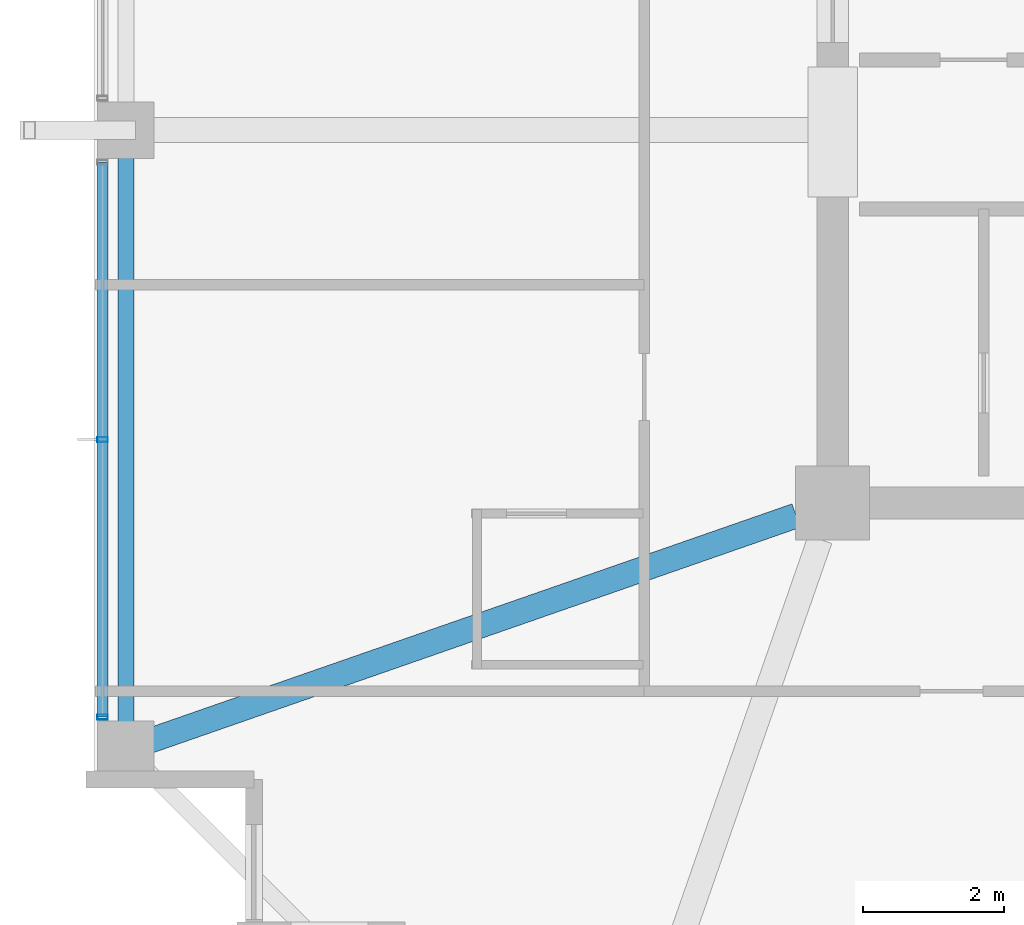
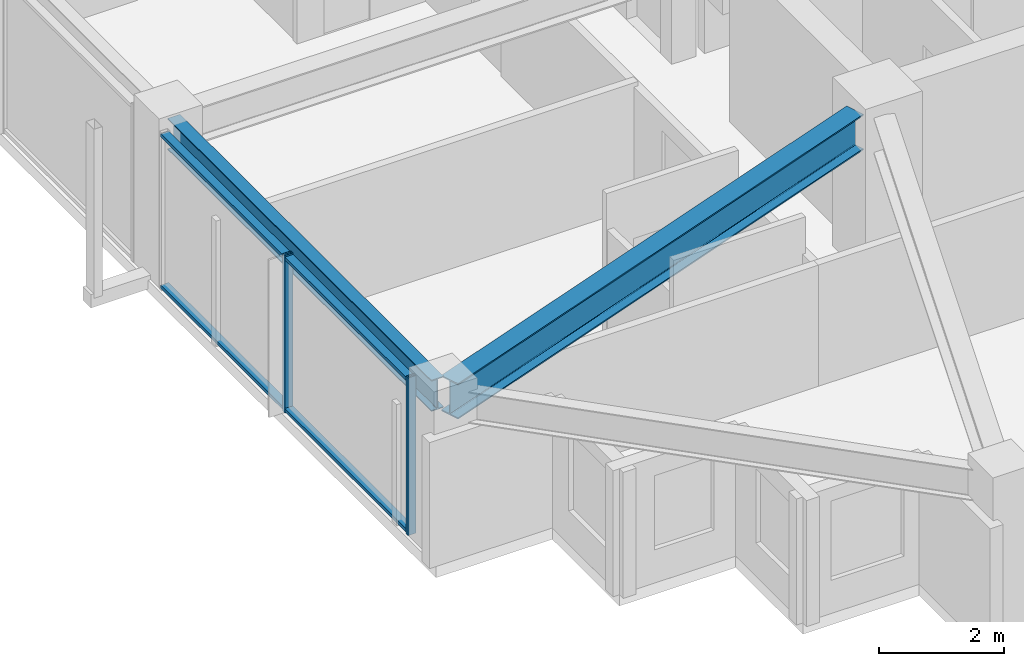
# One storey, part 3 of 38: 4 members, 2 beams, 1 element without a shape of its own.
"""IFC4 building model written with IfcOpenShell, lengths in metres."""

import ifcopenshell
import ifcopenshell.guid

model = None  # the IFC model being written
_history = None  # IfcOwnerHistory: only IFC2X3 demands one
_inside = {}  # id of a spatial element -> (the spatial element, [elements in it])
_under = {}  # id of a project, library or spatial element -> (it, [spatial elements below it])
_declared = {}  # id of a project -> (the project, [libraries it declares])
_typed = {}  # id of a type object -> (the type object, [elements of that type])
_made_of = {}  # id of a material, layer set ... -> (it, [elements and type objects made of it])


def new_model(schema):
    """Start an empty IFC model of exactly this schema.

    Asked for "IFC4X3", IfcOpenShell would pick the latest addendum, in which some entities
    have other attributes; the version numbers below select the first issue.
    IFC2X3 requires an IfcOwnerHistory on every rooted entity: one is made here for all.
    """
    global model, _history
    if schema == "IFC4X3":
        model = ifcopenshell.file(schema_version=(4, 3, 0, 0))
    else:
        model = ifcopenshell.file(schema=schema)
    _inside.clear()
    _under.clear()
    _declared.clear()
    _typed.clear()
    _made_of.clear()
    _history = None
    if model.schema == "IFC2X3":
        org = make("IfcOrganization", Name="unknown")
        user = make(
            "IfcPersonAndOrganization",
            ThePerson=make("IfcPerson", FamilyName="unknown"),
            TheOrganization=org,
        )
        app = make(
            "IfcApplication",
            ApplicationDeveloper=org,
            Version="unknown",
            ApplicationFullName="unknown",
            ApplicationIdentifier="unknown",
        )
        _history = make(
            "IfcOwnerHistory",
            OwningUser=user,
            OwningApplication=app,
            ChangeAction="ADDED",
            CreationDate=0,
        )
    return model


def make(cls, **values):
    """One entity of the class cls with the attributes given. An attribute that is None is left unset."""
    return model.create_entity(
        cls, **{name: value for name, value in values.items() if value is not None}
    )


def rooted(cls, **values):
    """An entity with a GlobalId (a new one), such as an element, a storey or a relation."""
    return make(cls, GlobalId=ifcopenshell.guid.new(), OwnerHistory=_history, **values)


def si_unit(unit_type, name, prefix=None):
    """IfcSIUnit, for example si_unit("LENGTHUNIT", "METRE", prefix="MILLI")."""
    return make("IfcSIUnit", UnitType=unit_type, Prefix=prefix, Name=name)


def assignment(units):
    """IfcUnitAssignment: the units of a project."""
    return None if units is None else make("IfcUnitAssignment", Units=units)


def point(xyz):
    """IfcCartesianPoint."""
    return None if xyz is None else make("IfcCartesianPoint", Coordinates=xyz)


def direction(xyz):
    """IfcDirection."""
    return None if xyz is None else make("IfcDirection", DirectionRatios=xyz)


def frame(location, z_axis=None, x_axis=None):
    """IfcAxis2Placement3D, a coordinate frame: its origin and axes. An axis left out is left unset."""
    return make(
        "IfcAxis2Placement3D",
        Location=point(location),
        Axis=direction(z_axis),
        RefDirection=direction(x_axis),
    )


def frame_2d(location, x_axis=None):
    """IfcAxis2Placement2D, a coordinate frame in the plane: its origin and x axis."""
    return make(
        "IfcAxis2Placement2D", Location=point(location), RefDirection=direction(x_axis)
    )


def origin():
    """The frame at (0, 0, 0) with its axes left unset."""
    return frame((0.0, 0.0, 0.0))


def origin_2d():
    """The frame at (0, 0) in the plane with its x axis left unset."""
    return frame_2d((0.0, 0.0))


def place(relative_to, where):
    """IfcLocalPlacement: puts the frame where relative to a parent placement (None: the world)."""
    return make(
        "IfcLocalPlacement", PlacementRelTo=relative_to, RelativePlacement=where
    )


def context(
    kind, dimensions, precision=None, world=None, true_north=None, identifier=None
):
    """IfcGeometricRepresentationContext, for example the 3D "Model" context."""
    return make(
        "IfcGeometricRepresentationContext",
        ContextIdentifier=identifier,
        ContextType=kind,
        CoordinateSpaceDimension=dimensions,
        Precision=precision,
        WorldCoordinateSystem=world,
        TrueNorth=true_north,
    )


def subcontext(parent, identifier, kind, view, scale=None):
    """IfcGeometricRepresentationSubContext, for example "Body" below "Model"."""
    return make(
        "IfcGeometricRepresentationSubContext",
        ContextIdentifier=identifier,
        ContextType=kind,
        ParentContext=parent,
        TargetScale=scale,
        TargetView=view,
    )


def project(units=None, contexts=None):
    """IfcProject with its units and contexts."""
    return rooted(
        "IfcProject",
        Name="project",
        RepresentationContexts=contexts,
        UnitsInContext=assignment(units),
    )


def spatial(cls, under=None, at=None, **own):
    """A site, building, storey or space (cls), placed at a placement, below another one or the project."""
    s = rooted(cls, ObjectPlacement=at, **own)
    if under is not None:
        _under.setdefault(under.id(), (under, []))[1].append(s)
    return s


def profile(cls, at=None, kind="AREA", **sizes):
    """A parametric profile (cls). Its sizes go by their IFC names, for example OverallWidth=200.0."""
    return make(cls, ProfileType=kind, Position=at, **sizes)


def hollow_rectangle(**sizes):
    """IfcRectangleHollowProfileDef."""
    return profile("IfcRectangleHollowProfileDef", **sizes)


def i_section(**sizes):
    """IfcIShapeProfileDef."""
    return profile("IfcIShapeProfileDef", **sizes)


def extrude(swept, where, along, depth):
    """IfcExtrudedAreaSolid: the profile swept, set in the frame where, extruded along a direction by depth."""
    return make(
        "IfcExtrudedAreaSolid",
        SweptArea=swept,
        Position=where,
        ExtrudedDirection=direction(along),
        Depth=depth,
    )


def shape(context_of_items, identifier, shape_type, items):
    """IfcShapeRepresentation: the items that make up one representation, for example the "Body"."""
    return make(
        "IfcShapeRepresentation",
        ContextOfItems=context_of_items,
        RepresentationIdentifier=identifier,
        RepresentationType=shape_type,
        Items=items,
    )


def material(Name=None, Category=None):
    """IfcMaterial."""
    return make("IfcMaterial", Name=Name, Category=Category)


def material_profile(
    of_material, cross_section, Name=None, Category=None, Priority=None
):
    """IfcMaterialProfile: a cross section and its material."""
    return make(
        "IfcMaterialProfile",
        Name=Name,
        Material=of_material,
        Profile=cross_section,
        Priority=Priority,
        Category=Category,
    )


def profile_set(profiles, Name=None, composite=None):
    """IfcMaterialProfileSet."""
    return make(
        "IfcMaterialProfileSet",
        Name=Name,
        MaterialProfiles=profiles,
        CompositeProfile=composite,
    )


def made_of(thing, what):
    """Note that an element or type object is made of a material, layer set ...; save() writes the relation."""
    if what is not None:
        _made_of.setdefault(what.id(), (what, []))[1].append(thing)
    return thing


def type_object(cls, material=None, **own):
    """A type object (cls), such as IfcWallType, which elements share."""
    return made_of(rooted(cls, **own), material)


def element(
    cls,
    number,
    at=None,
    inside=None,
    cuts=None,
    type_object=None,
    material=None,
    context=None,
    identifier="Body",
    shape_type=None,
    held_by="IfcProductDefinitionShape",
    body=None,
    shapes=None,
    **own,
):
    """One element of the class cls, such as IfcWall. Its Tag is "e" and its number.

    at: its placement. inside: the storey or other place that contains it. cuts: it is an
    opening in that element (IfcRelVoidsElement). A single representation is given by context,
    identifier, shape_type and body (its items); several are given by shapes. held_by: the class
    of the entity that holds the representations. save() writes the other relations.
    """
    e = rooted(cls, Tag="e%d" % number, ObjectPlacement=at, **own)
    if body is not None:
        shapes = [shape(context, identifier, shape_type, body)]
    if shapes is not None:
        e.Representation = make(held_by, Representations=shapes)
    if inside is not None:
        _inside.setdefault(inside.id(), (inside, []))[1].append(e)
    if cuts is not None:
        rooted(
            "IfcRelVoidsElement", RelatingBuildingElement=cuts, RelatedOpeningElement=e
        )
    if type_object is not None:
        _typed.setdefault(type_object.id(), (type_object, []))[1].append(e)
    return made_of(e, material)


def aggregate(whole, parts):
    """IfcRelAggregates: a whole, such as a stair, and the parts it consists of."""
    return rooted("IfcRelAggregates", RelatingObject=whole, RelatedObjects=parts)


def save(model, path):
    """Write the relations noted so far, then the file.

    IfcRelAggregates (storeys below a building ...), IfcRelContainedInSpatialStructure (elements
    in a storey), IfcRelDefinesByType, IfcRelAssociatesMaterial and IfcRelDeclares: one each for
    every whole, place, type object, material and project.
    """
    for whole, parts in _under.values():
        aggregate(whole, parts)
    for where, things in _inside.values():
        rooted(
            "IfcRelContainedInSpatialStructure",
            RelatedElements=things,
            RelatingStructure=where,
        )
    for kind, things in _typed.values():
        rooted("IfcRelDefinesByType", RelatedObjects=things, RelatingType=kind)
    for what, things in _made_of.values():
        rooted("IfcRelAssociatesMaterial", RelatedObjects=things, RelatingMaterial=what)
    for by, libraries in _declared.values():
        rooted("IfcRelDeclares", RelatingContext=by, RelatedDefinitions=libraries)
    model.write(path)


model = new_model("IFC4")

# Units and contexts
model_context = context("Model", 3, precision=1e-05, world=origin(), true_north=direction((0.0, 1.0)))
body_context = subcontext(model_context, "Body", "Model", "MODEL_VIEW")
ifc_project = project(units=[si_unit("LENGTHUNIT", "METRE"), si_unit("AREAUNIT", "SQUARE_METRE"), si_unit("VOLUMEUNIT", "CUBIC_METRE"), si_unit("PLANEANGLEUNIT", "RADIAN"), si_unit("MASSUNIT", "GRAM", prefix="KILO")], contexts=[model_context])

# Site, building, storey
site_placement = place(None, origin())
site = spatial("IfcSite", under=ifc_project, at=site_placement, CompositionType="ELEMENT")
building_placement = place(site_placement, origin())
building = spatial("IfcBuilding", under=site, at=building_placement, Name="Kolvaren Belvedere", CompositionType="ELEMENT")
storey_placement = place(building_placement, frame((0.0, 0.0, 213.0)))
storey = spatial("IfcBuildingStorey", under=building, at=storey_placement, Name="L62", CompositionType="ELEMENT", Elevation=213.0)

# Beams
ifc_material_1 = material(Name="Structural steel ASTM A992 Grade 50", Category="steel")
ifc_material_profile_1 = material_profile(ifc_material_1, i_section(OverallWidth=0.35498046875, OverallDepth=0.696044921875, WebThickness=0.015380859375, FlangeThickness=0.02490234375, FilletRadius=0.02197265625, at=origin_2d()), Name="W27X146")
ifc_profile_set_1 = profile_set([ifc_material_profile_1], Name="Structural steel ASTM A992 Grade 50")
beam_type_1 = type_object("IfcBeamType", Name="BM-GIRD-W27X146", PredefinedType="BEAM", material=ifc_profile_set_1)
beam_1_placement = place(storey_placement, frame((-10.41943359375, -10.080810546875, 2.73193359375), z_axis=(-0.944365399758, -0.328898147971, 0.0), x_axis=(0.328898147971, -0.944365399758, 0.0)))
element("IfcBeam", 1, at=beam_1_placement, inside=storey, type_object=beam_type_1, Name="L62 Corner Core-to-Perimeter Girder CC1-W1", PredefinedType="BEAM", context=body_context, shape_type="SweptSolid", body=[
    extrude(i_section(OverallWidth=0.35498046875, OverallDepth=0.696044921875, WebThickness=0.015380859375, FlangeThickness=0.02490234375, FilletRadius=0.02197265625, at=origin_2d()), origin(), (0.0, 0.0, 1.0), 9.931884765625),
])
ifc_material_2 = material(Name="Structural steel ASTM A992 Grade 50", Category="steel")
ifc_material_profile_2 = material_profile(ifc_material_2, i_section(OverallWidth=0.22900390625, OverallDepth=0.612060546875, WebThickness=0.011962890625, FlangeThickness=0.01953125, FilletRadius=0.01806640625, at=origin_2d()), Name="W24X84")
ifc_profile_set_2 = profile_set([ifc_material_profile_2], Name="Structural steel ASTM A992 Grade 50")
beam_type_2 = type_object("IfcBeamType", Name="BM-SPAN-W24X84", PredefinedType="SPANDREL", material=ifc_profile_set_2)
beam_2_placement = place(storey_placement, frame((-19.949951171875, -4.780029296875, 2.77392578125), z_axis=(0.0, -1.0, 0.0), x_axis=(1.0, 0.0, 0.0)))
element("IfcBeam", 2, at=beam_2_placement, inside=storey, type_object=beam_type_2, Name="L62 Perimeter Spandrel W2-W1", PredefinedType="SPANDREL", context=body_context, shape_type="SweptSolid", body=[
    extrude(i_section(OverallWidth=0.22900390625, OverallDepth=0.612060546875, WebThickness=0.011962890625, FlangeThickness=0.01953125, FilletRadius=0.01806640625, at=origin_2d()), origin(), (0.0, 0.0, 1.0), 8.43994140625),
])

# Curtain wall, members
ifc_material_3 = material(Name="Anodised pale-metal aluminium AA 6063-T6", Category="aluminium")
curtain_wall_type = type_object("IfcCurtainWallType", Name="CW-Z5-HIGH", PredefinedType="NOTDEFINED", material=ifc_material_3)
curtain_wall_placement = place(storey_placement, origin())
curtain_wall = element("IfcCurtainWall", 3, at=curtain_wall_placement, inside=storey, type_object=curtain_wall_type, Name="L62 Unitised Curtain Wall FCW-L62-W-B1", PredefinedType="NOTDEFINED")
ifc_material_4 = material(Name="Anodised pale-metal aluminium AA 6063-T6", Category="aluminium")
ifc_material_profile_3 = material_profile(ifc_material_4, hollow_rectangle(XDim=0.070068359375, YDim=0.14990234375, WallThickness=0.004150390625, at=origin_2d()), Name="ALU-MUL-150X70")
ifc_profile_set_3 = profile_set([ifc_material_profile_3], Name="Anodised pale-metal aluminium AA 6063-T6")
member_type_1 = type_object("IfcMemberType", Name="CW-MUL-150", PredefinedType="MULLION", material=ifc_profile_set_3)
member_1_placement = place(storey_placement, frame((-20.280029296875, -12.945068359375, 0.0), z_axis=(0.0, 0.0, 1.0), x_axis=(0.0, 1.0, 0.0)))
member_1 = element("IfcMember", 4, at=member_1_placement, type_object=member_type_1, Name="FCW-L62-W-B1 Unitised Mullion 1", PredefinedType="MULLION", context=body_context, shape_type="SweptSolid", body=[
    extrude(hollow_rectangle(XDim=0.070068359375, YDim=0.14990234375, WallThickness=0.004150390625, at=origin_2d()), origin(), (0.0, 0.0, 1.0), 3.080078125),
])
member_2_placement = place(storey_placement, frame((-20.280029296875, -9.0, 0.0), z_axis=(0.0, 0.0, 1.0), x_axis=(0.0, 1.0, 0.0)))
member_2 = element("IfcMember", 5, at=member_2_placement, type_object=member_type_1, Name="FCW-L62-W-B1 Unitised Mullion 2", PredefinedType="MULLION", context=body_context, shape_type="SweptSolid", body=[
    extrude(hollow_rectangle(XDim=0.070068359375, YDim=0.14990234375, WallThickness=0.004150390625, at=origin_2d()), origin(), (0.0, 0.0, 1.0), 3.080078125),
])
ifc_material_5 = material(Name="Anodised pale-metal aluminium AA 6063-T6", Category="aluminium")
ifc_material_profile_4 = material_profile(ifc_material_5, hollow_rectangle(XDim=0.06494140625, YDim=0.14990234375, WallThickness=0.00390625, at=origin_2d()), Name="ALU-TRN-150X65")
ifc_profile_set_4 = profile_set([ifc_material_profile_4], Name="Anodised pale-metal aluminium AA 6063-T6")
member_type_2 = type_object("IfcMemberType", Name="CW-TRN-150", PredefinedType="USERDEFINED", material=ifc_profile_set_4)
member_3_placement = place(storey_placement, frame((-20.280029296875, -12.945068359375, 0.06005859375), z_axis=(0.0, 1.0, 0.0), x_axis=(0.0, 0.0, 1.0)))
member_3 = element("IfcMember", 6, at=member_3_placement, type_object=member_type_2, Name="FCW-L62-W-B1 Sill Transom", ObjectType="TRANSOM", PredefinedType="USERDEFINED", context=body_context, shape_type="SweptSolid", body=[
    extrude(hollow_rectangle(XDim=0.06494140625, YDim=0.14990234375, WallThickness=0.00390625, at=origin_2d()), origin(), (0.0, 0.0, 1.0), 7.89013671875),
])
member_4_placement = place(storey_placement, frame((-20.280029296875, -12.945068359375, 3.02001953125), z_axis=(0.0, 1.0, 0.0), x_axis=(0.0, 0.0, 1.0)))
member_4 = element("IfcMember", 7, at=member_4_placement, type_object=member_type_2, Name="FCW-L62-W-B1 Head Transom", ObjectType="TRANSOM", PredefinedType="USERDEFINED", context=body_context, shape_type="SweptSolid", body=[
    extrude(hollow_rectangle(XDim=0.06494140625, YDim=0.14990234375, WallThickness=0.00390625, at=origin_2d()), origin(), (0.0, 0.0, 1.0), 7.89013671875),
])
aggregate(curtain_wall, [member_1, member_2, member_3, member_4])

save(model, "model.ifc")
